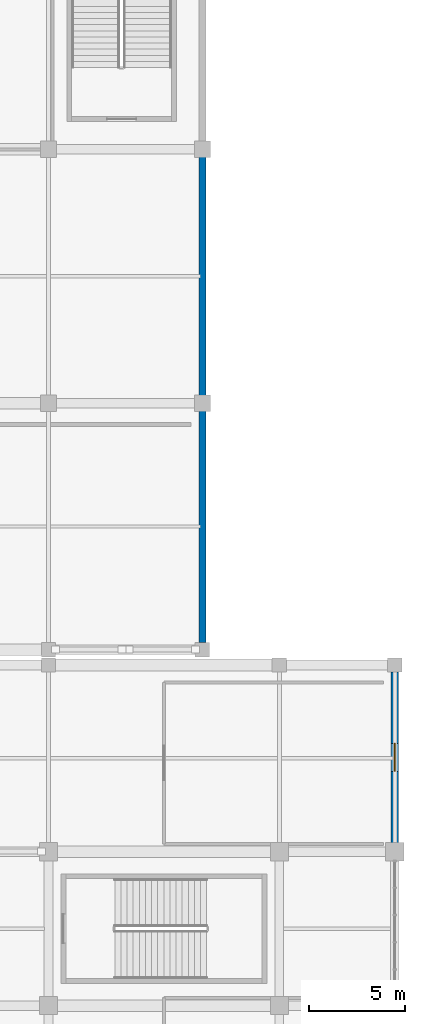
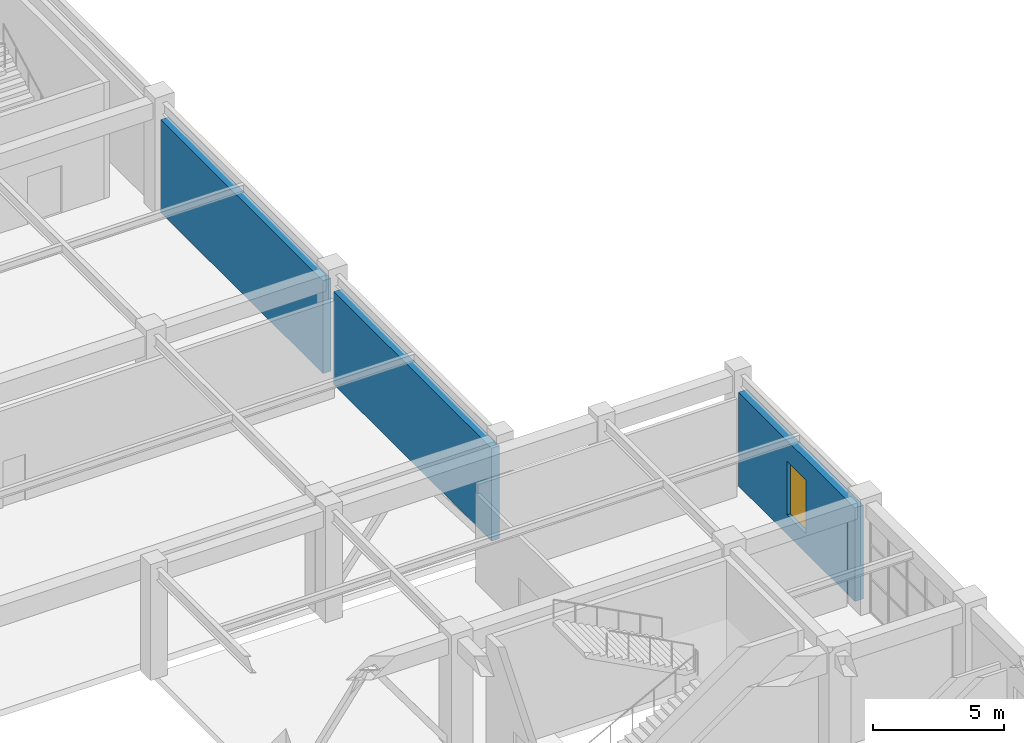
# One storey, part 83 of 120: 3 walls, 1 window, 1 opening.
"""IFC4 building model written with IfcOpenShell, lengths in metres."""

from ifc_helpers import new_model, si_unit, direction, frame, frame_2d, origin, place, context, subcontext, project, spatial, rectangle, extrude, material, layer, layer_set, type_object, element, fill, save


model = new_model("IFC4")

# Units and contexts
model_context = context("Model", 3, precision=1e-05, world=origin(), true_north=direction((0.0, 1.0)))
body_context = subcontext(model_context, "Body", "Model", "MODEL_VIEW")
ifc_project = project(units=[si_unit("LENGTHUNIT", "METRE"), si_unit("AREAUNIT", "SQUARE_METRE"), si_unit("VOLUMEUNIT", "CUBIC_METRE"), si_unit("PLANEANGLEUNIT", "RADIAN"), si_unit("MASSUNIT", "GRAM", prefix="KILO")], contexts=[model_context])

# Site, building, storey
site_placement = place(None, origin())
site = spatial("IfcSite", under=ifc_project, at=site_placement, CompositionType="ELEMENT")
building_placement = place(site_placement, origin())
building = spatial("IfcBuilding", under=site, at=building_placement, Name="Cuetzalor Civic Arena", CompositionType="ELEMENT")
storey_placement = place(building_placement, frame((0.0, 0.0, 6.0)))
storey = spatial("IfcBuildingStorey", under=building, at=storey_placement, Name="L01", CompositionType="ELEMENT", Elevation=6.0)

# Walls
ifc_material_1 = material(Name="Dark volcanic basalt ashlar on Concrete C35/45", Category="masonry")
ifc_layer_1 = layer(ifc_material_1, 0.35009765625)
ifc_layer_set_1 = layer_set([ifc_layer_1], Name="Dark volcanic basalt ashlar on Concrete C35/45")
wall_type_1 = type_object("IfcWallType", Name="BasaltAshlarWall_350", PredefinedType="SOLIDWALL", material=ifc_layer_set_1)
wall_1_placement = place(storey_placement, frame((72.0, 47.89306640625, 0.0), z_axis=(0.0, 0.0, 1.0), x_axis=(0.0, -1.0, 0.0)))
element("IfcWall", 1, at=wall_1_placement, inside=storey, type_object=wall_type_1, Name="North Wing East Basalt Wall L01-240", PredefinedType="SOLIDWALL", context=body_context, shape_type="SweptSolid", body=[
    extrude(rectangle(XDim=12.0361328125, YDim=0.35009765625, at=frame_2d((6.01806640625, 0.0))), origin(), (0.0, 0.0, 1.0), 4.320068359375),
])
wall_2_placement = place(storey_placement, frame((72.0, 61.093017578125, 0.0), z_axis=(0.0, 0.0, 1.0), x_axis=(0.0, -1.0, 0.0)))
element("IfcWall", 2, at=wall_2_placement, inside=storey, type_object=wall_type_1, Name="North Wing East Basalt Wall L01-242", PredefinedType="SOLIDWALL", context=body_context, shape_type="SweptSolid", body=[
    extrude(rectangle(XDim=12.385986328125, YDim=0.35009765625, at=frame_2d((6.19287109375, 0.0))), origin(), (0.0, 0.0, 1.0), 4.320068359375),
])

# Wall, opening, window
ifc_material_2 = material(Name="Polychrome Talavera ceramic on Concrete C35/45", Category="concrete")
ifc_layer_2 = layer(ifc_material_2, 0.3798828125)
ifc_layer_set_2 = layer_set([ifc_layer_2], Name="Polychrome Talavera ceramic on Concrete C35/45")
wall_type_2 = type_object("IfcWallType", Name="TalaveraSpandrelWall_380", PredefinedType="SOLIDWALL", material=ifc_layer_set_2)
wall_3_placement = place(storey_placement, frame((82.0, 34.343017578125, 0.0), z_axis=(0.0, 0.0, 1.0), x_axis=(0.0, -1.0, 0.0)))
wall_3 = element("IfcWall", 3, at=wall_3_placement, inside=storey, type_object=wall_type_2, Name="V4E Outer Talavera Wall L01-163", PredefinedType="SOLIDWALL", context=body_context, shape_type="SweptSolid", body=[
    extrude(rectangle(XDim=8.885986328125, YDim=0.3798828125, at=frame_2d((4.44287109375, 0.0))), origin(), (0.0, 0.0, 1.0), 4.360107421875),
])
opening_placement = place(wall_3_placement, frame((3.718017578125, 0.0, 0.89990234375)))
opening = element("IfcOpeningElement", 4, at=opening_placement, cuts=wall_3, Name="Opening WN-48", PredefinedType="OPENING", context=body_context, shape_type="SweptSolid", body=[
    extrude(rectangle(XDim=1.449951171875, YDim=2.5, at=frame_2d((0.72509765625, 1.25))), frame((0.0, 0.199951171875, 0.0), z_axis=(0.0, -1.0, 0.0), x_axis=(1.0, 0.0, 0.0)), (0.0, 0.0, 1.0), 0.39990234375),
])
ifc_material_3 = material(Name="Anodised bronze aluminium and low-E solar glass", Category="aluminium")
window_type = type_object("IfcWindowType", Name="BronzeThermalWindow_1450x2500", PartitioningType="SINGLE_PANEL", PredefinedType="WINDOW", material=ifc_material_3)
window_placement = place(opening_placement, origin())
window = element("IfcWindow", 5, at=window_placement, inside=storey, type_object=window_type, Name="V4E Facade Window L01-0048", OverallHeight=2.5, OverallWidth=1.449951171875, PartitioningType="SINGLE_PANEL", PredefinedType="WINDOW", context=body_context, shape_type="SweptSolid", body=[
    extrude(rectangle(XDim=1.449951171875, YDim=2.5, at=frame_2d((0.72509765625, 1.25))), frame((0.0, 0.030029296875, 0.0), z_axis=(0.0, -1.0, 0.0), x_axis=(1.0, 0.0, 0.0)), (0.0, 0.0, 1.0), 0.06005859375),
])
fill(opening, window)

save(model, "model.ifc")
